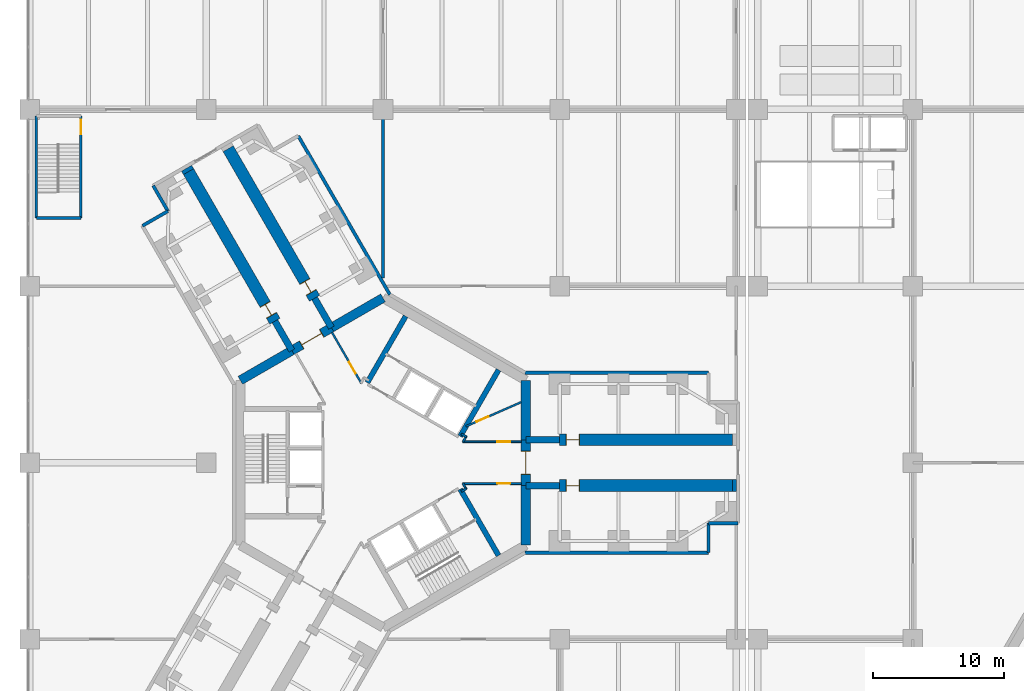
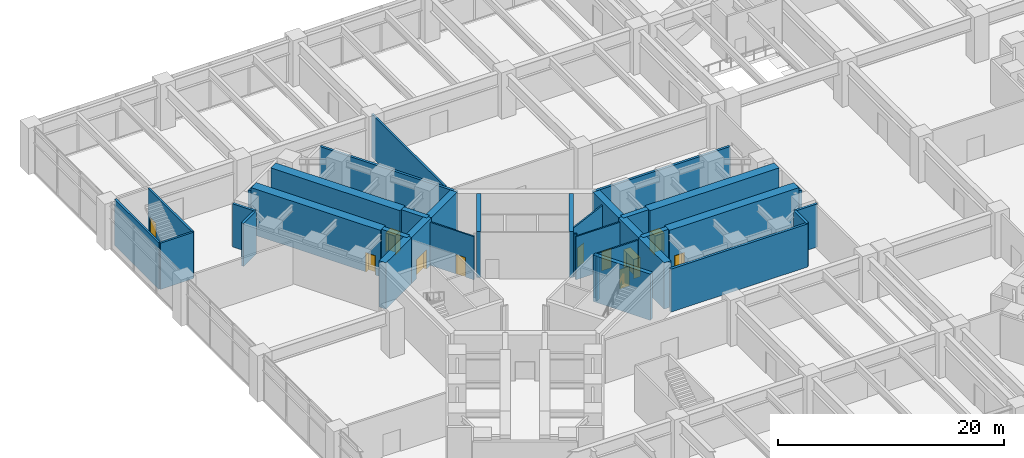
# One storey, part 23 of 32: 38 walls, 11 doors, 11 openings.
"""IFC4 building model written with IfcOpenShell, lengths in metres."""

from ifc_helpers import new_model, si_unit, direction, frame, frame_2d, origin, place, context, subcontext, project, spatial, rectangle, extrude, material, layer, layer_set, type_object, element, fill, save


model = new_model("IFC4")

# Units and contexts
model_context = context("Model", 3, precision=1e-05, world=origin(), true_north=direction((0.0, 1.0)))
body_context = subcontext(model_context, "Body", "Model", "MODEL_VIEW")
ifc_project = project(units=[si_unit("LENGTHUNIT", "METRE"), si_unit("AREAUNIT", "SQUARE_METRE"), si_unit("VOLUMEUNIT", "CUBIC_METRE"), si_unit("PLANEANGLEUNIT", "RADIAN"), si_unit("MASSUNIT", "GRAM", prefix="KILO")], contexts=[model_context])

# Site, building, storey
site_placement = place(None, origin())
site = spatial("IfcSite", under=ifc_project, at=site_placement, CompositionType="ELEMENT")
building_placement = place(site_placement, origin())
building = spatial("IfcBuilding", under=site, at=building_placement, Name="Upepo Twin Towers", CompositionType="ELEMENT")
storey_placement = place(building_placement, frame((0.0, 0.0, 5.5)))
storey = spatial("IfcBuildingStorey", under=building, at=storey_placement, Name="L01", CompositionType="ELEMENT", Elevation=5.5)

# Walls
ifc_material_1 = material(Name="Dense concrete blockwork", Category="masonry")
ifc_layer_1 = layer(ifc_material_1, 0.89990234375)
ifc_layer_set_1 = layer_set([ifc_layer_1], Name="Buttress closer 900, blockwork with fire-stopping to the curtain wall")
wall_type_1 = type_object("IfcWallType", Name="Buttress closer 900, blockwork with fire-stopping to the curtain wall", PredefinedType="PARTITIONING", material=ifc_layer_set_1)
for number, where, z_axis, x_axis, name in (
    (1, (26.699951171875, -1.75, 0.0), (0.0, 0.0, 1.0), (1.0, 0.0, 0.0), "T1 L01 wing A buttress closer R"),
    (2, (-14.865478515625, 22.247802734375, 0.0), (0.0, 0.0, 1.0), (-0.500426713919, 0.865778900179, 0.0), "T1 L01 wing B buttress closer L"),
):
    element("IfcWall", number, at=place(storey_placement, frame(where, z_axis=z_axis, x_axis=x_axis)), inside=storey, type_object=wall_type_1, Name=name, PredefinedType="PARTITIONING", context=body_context, shape_type="SweptSolid", body=[
        extrude(rectangle(XDim=0.300048828125, YDim=0.89990234375, at=frame_2d((0.14990234375, 0.0))), origin(), (0.0, 0.0, 1.0), 4.64990234375),
    ])
ifc_material_2 = material(Name="Concrete C60/75", Category="concrete")
ifc_layer_2 = layer(ifc_material_2, 0.5)
ifc_layer_set_2 = layer_set([ifc_layer_2], Name="Concrete C60/75")
wall_type_2 = type_object("IfcWallType", Name="Buttress wall 500 RC", PredefinedType="SHEAR", material=ifc_layer_set_2)
for number, where, z_axis, x_axis, name in (
    (3, (10.908447265625, 1.75, 0.0), (0.0, 0.0, 1.0), (1.0, 0.0, 0.0), "T1 wing A buttress wall L"),
    (4, (10.908447265625, -1.75, 0.0), (0.0, 0.0, 1.0), (1.0, 0.0, 0.0), "T1 wing A buttress wall R"),
):
    element("IfcWall", number, at=place(storey_placement, frame(where, z_axis=z_axis, x_axis=x_axis)), inside=storey, type_object=wall_type_2, Name=name, PredefinedType="SHEAR", context=body_context, shape_type="SweptSolid", body=[
        extrude(rectangle(XDim=2.591552734375, YDim=0.5, at=frame_2d((1.2958984375, 0.0))), origin(), (0.0, 0.0, 1.0), 5.0),
    ])
for number, where, z_axis, x_axis, name in (
    (5, (-6.9697265625, 8.57177734375, 0.0), (0.0, 0.0, 1.0), (-0.499988811324, 0.866031863473, 0.0), "T1 wing B buttress wall L"),
    (6, (-3.938720703125, 10.32177734375, 0.0), (0.0, 0.0, 1.0), (-0.499918158782, 0.866072649678, 0.0), "T1 wing B buttress wall R"),
):
    element("IfcWall", number, at=place(storey_placement, frame(where, z_axis=z_axis, x_axis=x_axis)), inside=storey, type_object=wall_type_2, Name=name, PredefinedType="SHEAR", context=body_context, shape_type="SweptSolid", body=[
        extrude(rectangle(XDim=2.591796875, YDim=0.5, at=frame_2d((1.2958984375, 0.0))), origin(), (0.0, 0.0, 1.0), 5.0),
    ])

# Wall, opening, door
ifc_material_3 = material(Name="Concrete C60/75", Category="concrete")
ifc_layer_3 = layer(ifc_material_3, 0.89990234375)
ifc_layer_set_3 = layer_set([ifc_layer_3], Name="Concrete C60/75")
wall_type_3 = type_object("IfcWallType", Name="Buttress wall 900 RC", PredefinedType="SHEAR", material=ifc_layer_set_3)
wall_1_placement = place(storey_placement, frame((13.5, 1.75, 0.0), z_axis=(0.0, 0.0, 1.0), x_axis=(1.0, 0.0, 0.0)))
wall_1 = element("IfcWall", 7, at=wall_1_placement, inside=storey, type_object=wall_type_3, Name="T1 wing A buttress wall L part 2", PredefinedType="SHEAR", context=body_context, shape_type="SweptSolid", body=[
    extrude(rectangle(XDim=13.199951171875, YDim=0.89990234375, at=frame_2d((6.60009765625, 0.0))), origin(), (0.0, 0.0, 1.0), 5.0),
])
opening_1_placement = place(wall_1_placement, frame((0.5, 0.0, 0.0)))
opening_1 = element("IfcOpeningElement", 8, at=opening_1_placement, cuts=wall_1, Name="Opening D1", PredefinedType="OPENING", context=body_context, shape_type="SweptSolid", body=[
    extrude(rectangle(XDim=1.0, YDim=2.10009765625, at=frame_2d((0.5, 1.050048828125))), frame((0.0, 0.4599609375, 0.0), z_axis=(0.0, -1.0, 0.0), x_axis=(1.0, 0.0, 0.0)), (0.0, 0.0, 1.0), 0.919921875),
])
ifc_material_4 = material(Name="Timber doorset", Category="wood")
door_type_1 = type_object("IfcDoorType", Name="Room door 1000 FD30", OperationType="SINGLE_SWING_LEFT", PredefinedType="DOOR", material=ifc_material_4)
door_1_placement = place(opening_1_placement, origin())
door_1 = element("IfcDoor", 9, at=door_1_placement, inside=storey, type_object=door_type_1, Name="T1 L01 faculty office door", OperationType="SINGLE_SWING_LEFT", OverallHeight=2.10009765625, OverallWidth=1.0, PredefinedType="DOOR", context=body_context, shape_type="SweptSolid", body=[
    extrude(rectangle(XDim=0.92, YDim=2.06009765625, at=frame_2d((0.5, 1.030029296875))), frame((0.0, 0.02490234375, 0.0), z_axis=(0.0, -1.0, 0.0), x_axis=(1.0, 0.0, 0.0)), (0.0, 0.0, 1.0), 0.050048828125),
    extrude(rectangle(XDim=0.04, YDim=2.10009765625, at=frame_2d((0.02001953125, 1.050048828125))), frame((0.0, 0.44970703125, 0.0), z_axis=(0.0, -1.0, 0.0), x_axis=(1.0, 0.0, 0.0)), (0.0, 0.0, 1.0), 0.8994140625),
    extrude(rectangle(XDim=0.04, YDim=2.10009765625, at=frame_2d((0.97998046875, 1.050048828125))), frame((0.0, 0.44970703125, 0.0), z_axis=(0.0, -1.0, 0.0), x_axis=(1.0, 0.0, 0.0)), (0.0, 0.0, 1.0), 0.8994140625),
    extrude(rectangle(XDim=0.92, YDim=0.04, at=frame_2d((0.5, 2.080078125))), frame((0.0, 0.44970703125, 0.0), z_axis=(0.0, -1.0, 0.0), x_axis=(1.0, 0.0, 0.0)), (0.0, 0.0, 1.0), 0.8994140625),
])
fill(opening_1, door_1)

wall_2_placement = place(storey_placement, frame((13.5, -1.75, 0.0), z_axis=(0.0, 0.0, 1.0), x_axis=(1.0, 0.0, 0.0)))
wall_2 = element("IfcWall", 10, at=wall_2_placement, inside=storey, type_object=wall_type_3, Name="T1 wing A buttress wall R part 2", PredefinedType="SHEAR", context=body_context, shape_type="SweptSolid", body=[
    extrude(rectangle(XDim=13.199951171875, YDim=0.89990234375, at=frame_2d((6.60009765625, 0.0))), origin(), (0.0, 0.0, 1.0), 5.0),
])
opening_2_placement = place(wall_2_placement, frame((0.5, 0.0, 0.0)))
opening_2 = element("IfcOpeningElement", 11, at=opening_2_placement, cuts=wall_2, Name="Opening D1", PredefinedType="OPENING", context=body_context, shape_type="SweptSolid", body=[
    extrude(rectangle(XDim=1.0, YDim=2.10009765625, at=frame_2d((0.5, 1.050048828125))), frame((0.0, 0.4599609375, 0.0), z_axis=(0.0, -1.0, 0.0), x_axis=(1.0, 0.0, 0.0)), (0.0, 0.0, 1.0), 0.919921875),
])
door_2_placement = place(opening_2_placement, origin())
door_2 = element("IfcDoor", 12, at=door_2_placement, inside=storey, type_object=door_type_1, Name="T1 L01 faculty office door", OperationType="SINGLE_SWING_LEFT", OverallHeight=2.10009765625, OverallWidth=1.0, PredefinedType="DOOR", context=body_context, shape_type="SweptSolid", body=[
    extrude(rectangle(XDim=0.92, YDim=2.06009765625, at=frame_2d((0.5, 1.030029296875))), frame((0.0, 0.02490234375, 0.0), z_axis=(0.0, -1.0, 0.0), x_axis=(1.0, 0.0, 0.0)), (0.0, 0.0, 1.0), 0.050048828125),
    extrude(rectangle(XDim=0.04, YDim=2.10009765625, at=frame_2d((0.02001953125, 1.050048828125))), frame((0.0, 0.44970703125, 0.0), z_axis=(0.0, -1.0, 0.0), x_axis=(1.0, 0.0, 0.0)), (0.0, 0.0, 1.0), 0.8994140625),
    extrude(rectangle(XDim=0.04, YDim=2.10009765625, at=frame_2d((0.97998046875, 1.050048828125))), frame((0.0, 0.44970703125, 0.0), z_axis=(0.0, -1.0, 0.0), x_axis=(1.0, 0.0, 0.0)), (0.0, 0.0, 1.0), 0.8994140625),
    extrude(rectangle(XDim=0.92, YDim=0.04, at=frame_2d((0.5, 2.080078125))), frame((0.0, 0.44970703125, 0.0), z_axis=(0.0, -1.0, 0.0), x_axis=(1.0, 0.0, 0.0)), (0.0, 0.0, 1.0), 0.8994140625),
])
fill(opening_2, door_2)

wall_3_placement = place(storey_placement, frame((-8.265625, 10.81640625, 0.0), z_axis=(0.0, 0.0, 1.0), x_axis=(-0.499996231654, 0.866027579429, 0.0)))
wall_3 = element("IfcWall", 13, at=wall_3_placement, inside=storey, type_object=wall_type_3, Name="T1 wing B buttress wall L part 2", PredefinedType="SHEAR", context=body_context, shape_type="SweptSolid", body=[
    extrude(rectangle(XDim=13.19970703125, YDim=0.89990234375, at=frame_2d((6.599853515625, 0.0))), origin(), (0.0, 0.0, 1.0), 5.0),
])
opening_3_placement = place(wall_3_placement, frame((0.5, 0.0, 0.0)))
opening_3 = element("IfcOpeningElement", 14, at=opening_3_placement, cuts=wall_3, Name="Opening D1", PredefinedType="OPENING", context=body_context, shape_type="SweptSolid", body=[
    extrude(rectangle(XDim=1.0, YDim=2.10009765625, at=frame_2d((0.5, 1.050048828125))), frame((0.0, 0.4599609375, 0.0), z_axis=(0.0, -1.0, 0.0), x_axis=(1.0, 0.0, 0.0)), (0.0, 0.0, 1.0), 0.919921875),
])
door_3_placement = place(opening_3_placement, origin())
door_3 = element("IfcDoor", 15, at=door_3_placement, inside=storey, type_object=door_type_1, Name="T1 L01 faculty office door", OperationType="SINGLE_SWING_LEFT", OverallHeight=2.10009765625, OverallWidth=1.0, PredefinedType="DOOR", context=body_context, shape_type="SweptSolid", body=[
    extrude(rectangle(XDim=0.92, YDim=2.06009765625, at=frame_2d((0.5, 1.030029296875))), frame((0.0, 0.02490234375, 0.0), z_axis=(0.0, -1.0, 0.0), x_axis=(1.0, 0.0, 0.0)), (0.0, 0.0, 1.0), 0.050048828125),
    extrude(rectangle(XDim=0.04, YDim=2.10009765625, at=frame_2d((0.02001953125, 1.050048828125))), frame((0.0, 0.44970703125, 0.0), z_axis=(0.0, -1.0, 0.0), x_axis=(1.0, 0.0, 0.0)), (0.0, 0.0, 1.0), 0.8994140625),
    extrude(rectangle(XDim=0.04, YDim=2.10009765625, at=frame_2d((0.97998046875, 1.050048828125))), frame((0.0, 0.44970703125, 0.0), z_axis=(0.0, -1.0, 0.0), x_axis=(1.0, 0.0, 0.0)), (0.0, 0.0, 1.0), 0.8994140625),
    extrude(rectangle(XDim=0.92, YDim=0.04, at=frame_2d((0.5, 2.080078125))), frame((0.0, 0.44970703125, 0.0), z_axis=(0.0, -1.0, 0.0), x_axis=(1.0, 0.0, 0.0)), (0.0, 0.0, 1.0), 0.8994140625),
])
fill(opening_3, door_3)

wall_4_placement = place(storey_placement, frame((-5.234375, 12.56640625, 0.0), z_axis=(0.0, 0.0, 1.0), x_axis=(-0.500010103361, 0.866019570528, 0.0)))
wall_4 = element("IfcWall", 16, at=wall_4_placement, inside=storey, type_object=wall_type_3, Name="T1 wing B buttress wall R part 2", PredefinedType="SHEAR", context=body_context, shape_type="SweptSolid", body=[
    extrude(rectangle(XDim=13.199951171875, YDim=0.89990234375, at=frame_2d((6.60009765625, 0.0))), origin(), (0.0, 0.0, 1.0), 5.0),
])
opening_4_placement = place(wall_4_placement, frame((0.5, 0.0, 0.0)))
opening_4 = element("IfcOpeningElement", 17, at=opening_4_placement, cuts=wall_4, Name="Opening D1", PredefinedType="OPENING", context=body_context, shape_type="SweptSolid", body=[
    extrude(rectangle(XDim=1.0, YDim=2.10009765625, at=frame_2d((0.5, 1.050048828125))), frame((0.0, 0.4599609375, 0.0), z_axis=(0.0, -1.0, 0.0), x_axis=(1.0, 0.0, 0.0)), (0.0, 0.0, 1.0), 0.919921875),
])
door_4_placement = place(opening_4_placement, origin())
door_4 = element("IfcDoor", 18, at=door_4_placement, inside=storey, type_object=door_type_1, Name="T1 L01 faculty office door", OperationType="SINGLE_SWING_LEFT", OverallHeight=2.10009765625, OverallWidth=1.0, PredefinedType="DOOR", context=body_context, shape_type="SweptSolid", body=[
    extrude(rectangle(XDim=0.92, YDim=2.06009765625, at=frame_2d((0.5, 1.030029296875))), frame((0.0, 0.02490234375, 0.0), z_axis=(0.0, -1.0, 0.0), x_axis=(1.0, 0.0, 0.0)), (0.0, 0.0, 1.0), 0.050048828125),
    extrude(rectangle(XDim=0.04, YDim=2.10009765625, at=frame_2d((0.02001953125, 1.050048828125))), frame((0.0, 0.44970703125, 0.0), z_axis=(0.0, -1.0, 0.0), x_axis=(1.0, 0.0, 0.0)), (0.0, 0.0, 1.0), 0.8994140625),
    extrude(rectangle(XDim=0.04, YDim=2.10009765625, at=frame_2d((0.97998046875, 1.050048828125))), frame((0.0, 0.44970703125, 0.0), z_axis=(0.0, -1.0, 0.0), x_axis=(1.0, 0.0, 0.0)), (0.0, 0.0, 1.0), 0.8994140625),
    extrude(rectangle(XDim=0.92, YDim=0.04, at=frame_2d((0.5, 2.080078125))), frame((0.0, 0.44970703125, 0.0), z_axis=(0.0, -1.0, 0.0), x_axis=(1.0, 0.0, 0.0)), (0.0, 0.0, 1.0), 0.8994140625),
])
fill(opening_4, door_4)

# Wall
ifc_material_5 = material(Name="Concrete C60/75", Category="concrete")
ifc_layer_4 = layer(ifc_material_5, 0.699951171875)
ifc_layer_set_4 = layer_set([ifc_layer_4], Name="Concrete C60/75")
wall_type_4 = type_object("IfcWallType", Name="Core wall 700 RC", PredefinedType="SHEAR", material=ifc_layer_set_4)
wall_5_placement = place(storey_placement, frame((10.908447265625, -6.2978515625, 0.0), z_axis=(0.0, 0.0, 1.0), x_axis=(0.0, 1.0, 0.0)))
element("IfcWall", 19, at=wall_5_placement, inside=storey, type_object=wall_type_4, Name="T1 core wall 000 R", PredefinedType="SHEAR", context=body_context, shape_type="SweptSolid", body=[
    extrude(rectangle(XDim=4.5478515625, YDim=0.699951171875, at=frame_2d((2.27392578125, 0.0))), origin(), (0.0, 0.0, 1.0), 5.0),
])

# Wall, opening, door
wall_6_placement = place(storey_placement, frame((10.908447265625, -1.75, 0.0), z_axis=(0.0, 0.0, 1.0), x_axis=(0.0, 1.0, 0.0)))
wall_6 = element("IfcWall", 20, at=wall_6_placement, inside=storey, type_object=wall_type_4, Name="T1 core wall 000", PredefinedType="SHEAR", context=body_context, shape_type="SweptSolid", body=[
    extrude(rectangle(XDim=3.5, YDim=0.699951171875, at=frame_2d((1.75, 0.0))), origin(), (0.0, 0.0, 1.0), 5.0),
])
opening_5_placement = place(wall_6_placement, frame((0.85009765625, 0.0, 0.0)))
opening_5 = element("IfcOpeningElement", 21, at=opening_5_placement, cuts=wall_6, Name="Opening D2", PredefinedType="OPENING", context=body_context, shape_type="SweptSolid", body=[
    extrude(rectangle(XDim=1.800048828125, YDim=2.10009765625, at=frame_2d((0.89990234375, 1.050048828125))), frame((0.0, 0.35986328125, 0.0), z_axis=(0.0, -1.0, 0.0), x_axis=(1.0, 0.0, 0.0)), (0.0, 0.0, 1.0), 0.719970703125),
])
ifc_material_6 = material(Name="Timber doorset", Category="wood")
door_type_2 = type_object("IfcDoorType", Name="Corridor double door 1800 FD60", OperationType="DOUBLE_DOOR_DOUBLE_SWING", PredefinedType="DOOR", material=ifc_material_6)
door_5_placement = place(opening_5_placement, origin())
door_5 = element("IfcDoor", 22, at=door_5_placement, inside=storey, type_object=door_type_2, Name="T1 L01 wing A corridor door", OperationType="DOUBLE_DOOR_DOUBLE_SWING", OverallHeight=2.10009765625, OverallWidth=1.800048828125, PredefinedType="DOOR", context=body_context, shape_type="SweptSolid", body=[
    extrude(rectangle(XDim=1.720048828125, YDim=2.06009765625, at=frame_2d((0.89990234375, 1.030029296875))), frame((0.0, 0.02490234375, 0.0), z_axis=(0.0, -1.0, 0.0), x_axis=(1.0, 0.0, 0.0)), (0.0, 0.0, 1.0), 0.050048828125),
    extrude(rectangle(XDim=0.04, YDim=2.10009765625, at=frame_2d((0.02001953125, 1.050048828125))), frame((0.0, 0.349609375, 0.0), z_axis=(0.0, -1.0, 0.0), x_axis=(1.0, 0.0, 0.0)), (0.0, 0.0, 1.0), 0.699462890625),
    extrude(rectangle(XDim=0.04, YDim=2.10009765625, at=frame_2d((1.780029296875, 1.050048828125))), frame((0.0, 0.349609375, 0.0), z_axis=(0.0, -1.0, 0.0), x_axis=(1.0, 0.0, 0.0)), (0.0, 0.0, 1.0), 0.699462890625),
    extrude(rectangle(XDim=1.720048828125, YDim=0.04, at=frame_2d((0.89990234375, 2.080078125))), frame((0.0, 0.349609375, 0.0), z_axis=(0.0, -1.0, 0.0), x_axis=(1.0, 0.0, 0.0)), (0.0, 0.0, 1.0), 0.699462890625),
])
fill(opening_5, door_5)

# Walls
wall_7_placement = place(storey_placement, frame((10.908447265625, 1.75, 0.0), z_axis=(0.0, 0.0, 1.0), x_axis=(0.0, 1.0, 0.0)))
element("IfcWall", 23, at=wall_7_placement, inside=storey, type_object=wall_type_4, Name="T1 core wall 000 L", PredefinedType="SHEAR", context=body_context, shape_type="SweptSolid", body=[
    extrude(rectangle(XDim=4.5478515625, YDim=0.699951171875, at=frame_2d((2.27392578125, 0.0))), origin(), (0.0, 0.0, 1.0), 5.0),
])
wall_8_placement = place(storey_placement, frame((0.0, 12.595947265625, 0.0), z_axis=(0.0, 0.0, 1.0), x_axis=(-0.866011268655, -0.500024481964, 0.0)))
element("IfcWall", 24, at=wall_8_placement, inside=storey, type_object=wall_type_4, Name="T1 core wall 120 R", PredefinedType="SHEAR", context=body_context, shape_type="SweptSolid", body=[
    extrude(rectangle(XDim=4.548095703125, YDim=0.699951171875, at=frame_2d((2.27392578125, 0.0))), origin(), (0.0, 0.0, 1.0), 5.0),
])

# Wall, opening, door
wall_9_placement = place(storey_placement, frame((-3.938720703125, 10.32177734375, 0.0), z_axis=(0.0, 0.0, 1.0), x_axis=(-0.866019471182, -0.500010275428, 0.0)))
wall_9 = element("IfcWall", 25, at=wall_9_placement, inside=storey, type_object=wall_type_4, Name="T1 core wall 120", PredefinedType="SHEAR", context=body_context, shape_type="SweptSolid", body=[
    extrude(rectangle(XDim=3.5, YDim=0.699951171875, at=frame_2d((1.75, 0.0))), origin(), (0.0, 0.0, 1.0), 5.0),
])
opening_6_placement = place(wall_9_placement, frame((0.85009765625, 0.0, 0.0)))
opening_6 = element("IfcOpeningElement", 26, at=opening_6_placement, cuts=wall_9, Name="Opening D2", PredefinedType="OPENING", context=body_context, shape_type="SweptSolid", body=[
    extrude(rectangle(XDim=1.800048828125, YDim=2.10009765625, at=frame_2d((0.89990234375, 1.050048828125))), frame((0.0, 0.35986328125, 0.0), z_axis=(0.0, -1.0, 0.0), x_axis=(1.0, 0.0, 0.0)), (0.0, 0.0, 1.0), 0.719970703125),
])
door_6_placement = place(opening_6_placement, origin())
door_6 = element("IfcDoor", 27, at=door_6_placement, inside=storey, type_object=door_type_2, Name="T1 L01 wing B corridor door", OperationType="DOUBLE_DOOR_DOUBLE_SWING", OverallHeight=2.10009765625, OverallWidth=1.800048828125, PredefinedType="DOOR", context=body_context, shape_type="SweptSolid", body=[
    extrude(rectangle(XDim=1.720048828125, YDim=2.06009765625, at=frame_2d((0.89990234375, 1.030029296875))), frame((0.0, 0.02490234375, 0.0), z_axis=(0.0, -1.0, 0.0), x_axis=(1.0, 0.0, 0.0)), (0.0, 0.0, 1.0), 0.050048828125),
    extrude(rectangle(XDim=0.04, YDim=2.10009765625, at=frame_2d((0.02001953125, 1.050048828125))), frame((0.0, 0.349609375, 0.0), z_axis=(0.0, -1.0, 0.0), x_axis=(1.0, 0.0, 0.0)), (0.0, 0.0, 1.0), 0.699462890625),
    extrude(rectangle(XDim=0.04, YDim=2.10009765625, at=frame_2d((1.780029296875, 1.050048828125))), frame((0.0, 0.349609375, 0.0), z_axis=(0.0, -1.0, 0.0), x_axis=(1.0, 0.0, 0.0)), (0.0, 0.0, 1.0), 0.699462890625),
    extrude(rectangle(XDim=1.720048828125, YDim=0.04, at=frame_2d((0.89990234375, 2.080078125))), frame((0.0, 0.349609375, 0.0), z_axis=(0.0, -1.0, 0.0), x_axis=(1.0, 0.0, 0.0)), (0.0, 0.0, 1.0), 0.699462890625),
])
fill(opening_6, door_6)

# Walls
wall_10_placement = place(storey_placement, frame((-6.9697265625, 8.57177734375, 0.0), z_axis=(0.0, 0.0, 1.0), x_axis=(-0.866034513004, -0.499984222037, 0.0)))
element("IfcWall", 28, at=wall_10_placement, inside=storey, type_object=wall_type_4, Name="T1 core wall 120 L", PredefinedType="SHEAR", context=body_context, shape_type="SweptSolid", body=[
    extrude(rectangle(XDim=4.548095703125, YDim=0.699951171875, at=frame_2d((2.27392578125, 0.0))), origin(), (0.0, 0.0, 1.0), 5.0),
])
ifc_material_7 = material(Name="Concrete blockwork", Category="masonry")
ifc_layer_5 = layer(ifc_material_7, 0.199951171875)
ifc_layer_set_5 = layer_set([ifc_layer_5], Name="Podium partition 200 blockwork")
wall_type_5 = type_object("IfcWallType", Name="Podium partition 200 blockwork", PredefinedType="PARTITIONING", material=ifc_layer_set_5)
wall_11_placement = place(storey_placement, frame((0.0, 14.10009765625, 0.0), z_axis=(0.0, 0.0, 1.0), x_axis=(0.0, 1.0, 0.0)))
element("IfcWall", 29, at=wall_11_placement, inside=storey, type_object=wall_type_5, Name="L01 podium wall X24", PredefinedType="PARTITIONING", context=body_context, shape_type="SweptSolid", body=[
    extrude(rectangle(XDim=12.89990234375, YDim=0.199951171875, at=frame_2d((6.449951171875, 0.0))), origin(), (0.0, 0.0, 1.0), 4.64990234375),
])
ifc_material_8 = material(Name="Concrete C40/50", Category="concrete")
ifc_layer_6 = layer(ifc_material_8, 0.199951171875)
ifc_layer_set_6 = layer_set([ifc_layer_6], Name="Concrete C40/50")
wall_type_6 = type_object("IfcWallType", Name="Podium stair enclosure 200 RC", PredefinedType="SHEAR", material=ifc_layer_set_6)
wall_12_placement = place(storey_placement, frame((-26.5, 18.699951171875, 0.0), z_axis=(0.0, 0.0, 1.0), x_axis=(1.0, 0.0, 0.0)))
element("IfcWall", 30, at=wall_12_placement, inside=storey, type_object=wall_type_6, Name="PS1 L01 enclosure wall 1", PredefinedType="SHEAR", context=body_context, shape_type="SweptSolid", body=[
    extrude(rectangle(XDim=3.39990234375, YDim=0.199951171875, at=frame_2d((1.699951171875, 0.0))), origin(), (0.0, 0.0, 1.0), 5.0),
])

# Wall, opening, door
wall_13_placement = place(storey_placement, frame((-23.10009765625, 18.699951171875, 0.0), z_axis=(0.0, 0.0, 1.0), x_axis=(0.0, 1.0, 0.0)))
wall_13 = element("IfcWall", 31, at=wall_13_placement, inside=storey, type_object=wall_type_6, Name="PS1 L01 enclosure wall 2", PredefinedType="SHEAR", context=body_context, shape_type="SweptSolid", body=[
    extrude(rectangle(XDim=7.800048828125, YDim=0.199951171875, at=frame_2d((3.89990234375, 0.0))), origin(), (0.0, 0.0, 1.0), 5.0),
])
opening_7_placement = place(wall_13_placement, frame((6.39990234375, 0.0, 0.0)))
opening_7 = element("IfcOpeningElement", 32, at=opening_7_placement, cuts=wall_13, Name="Opening D3", PredefinedType="OPENING", context=body_context, shape_type="SweptSolid", body=[
    extrude(rectangle(XDim=1.10009765625, YDim=2.10009765625, at=frame_2d((0.550048828125, 1.050048828125))), frame((0.0, 0.10986328125, 0.0), z_axis=(0.0, -1.0, 0.0), x_axis=(1.0, 0.0, 0.0)), (0.0, 0.0, 1.0), 0.219970703125),
])
ifc_material_9 = material(Name="Timber doorset", Category="wood")
door_type_3 = type_object("IfcDoorType", Name="Stair door 1100 FD60", OperationType="SINGLE_SWING_LEFT", PredefinedType="DOOR", material=ifc_material_9)
door_7_placement = place(opening_7_placement, origin())
door_7 = element("IfcDoor", 33, at=door_7_placement, inside=storey, type_object=door_type_3, Name="PS1 L01 door", OperationType="SINGLE_SWING_RIGHT", OverallHeight=2.10009765625, OverallWidth=1.10009765625, PredefinedType="DOOR", context=body_context, shape_type="SweptSolid", body=[
    extrude(rectangle(XDim=1.10009765625, YDim=2.10009765625, at=frame_2d((0.550048828125, 1.050048828125))), frame((0.0, 0.02490234375, 0.0), z_axis=(0.0, -1.0, 0.0), x_axis=(1.0, 0.0, 0.0)), (0.0, 0.0, 1.0), 0.050048828125),
])
fill(opening_7, door_7)

# Walls
wall_14_placement = place(storey_placement, frame((-26.5, 26.5, 0.0), z_axis=(0.0, 0.0, 1.0), x_axis=(0.0, -1.0, 0.0)))
element("IfcWall", 34, at=wall_14_placement, inside=storey, type_object=wall_type_6, Name="PS1 L01 enclosure wall 4", PredefinedType="SHEAR", context=body_context, shape_type="SweptSolid", body=[
    extrude(rectangle(XDim=7.800048828125, YDim=0.199951171875, at=frame_2d((3.89990234375, 0.0))), origin(), (0.0, 0.0, 1.0), 5.0),
])
ifc_material_10 = material(Name="Concrete C40/50", Category="concrete")
ifc_layer_7 = layer(ifc_material_10, 0.39990234375)
ifc_layer_set_7 = layer_set([ifc_layer_7], Name="Concrete C40/50")
wall_type_7 = type_object("IfcWallType", Name="Shaft wall 400 RC", PredefinedType="SHEAR", material=ifc_layer_set_7)
for number, where, z_axis, x_axis, name in (
    (35, (-1.20068359375, 6.120361328125, 0.0), (0.0, 0.0, 1.0), (0.500002627198, 0.866023886965, 0.0), "T1 core W60 side wall N"),
    (36, (5.900634765625, 2.020263671875, 0.0), (0.0, 0.0, 1.0), (0.500002627198, 0.866023886965, 0.0), "T1 core W60 side wall S"),
    (37, (5.900634765625, -2.020263671875, 0.0), (0.0, 0.0, 1.0), (0.500002627198, -0.866023886965, 0.0), "T1 core W300 side wall N"),
):
    element("IfcWall", number, at=place(storey_placement, frame(where, z_axis=z_axis, x_axis=x_axis)), inside=storey, type_object=wall_type_7, Name=name, PredefinedType="SHEAR", context=body_context, shape_type="SweptSolid", body=[
        extrude(rectangle(XDim=5.8583984375, YDim=0.39990234375, at=frame_2d((2.92919921875, 0.0))), origin(), (0.0, 0.0, 1.0), 5.0),
    ])
ifc_material_11 = material(Name="Gypsum board on steel studs", Category="steel")
ifc_layer_8 = layer(ifc_material_11, 0.14990234375)
ifc_layer_set_8 = layer_set([ifc_layer_8], Name="Teaching partition 150 acoustic")
wall_type_8 = type_object("IfcWallType", Name="Teaching partition 150 acoustic", PredefinedType="PARTITIONING", material=ifc_layer_set_8)
wall_15_placement = place(storey_placement, frame((6.364501953125, -1.9833984375, 0.0), z_axis=(0.0, 0.0, 1.0), x_axis=(-0.865892400268, -0.500230298122, 0.0)))
element("IfcWall", 38, at=wall_15_placement, inside=storey, type_object=wall_type_8, Name="T1 core room partition 1", PredefinedType="PARTITIONING", context=body_context, shape_type="SweptSolid", body=[
    extrude(rectangle(XDim=0.429931640625, YDim=0.14990234375, at=frame_2d((0.21484375, 0.0))), origin(), (0.0, 0.0, 1.0), 4.64990234375),
])

# Wall, opening, door
wall_16_placement = place(storey_placement, frame((-3.8984375, 9.952392578125, 0.0), z_axis=(0.0, 0.0, 1.0), x_axis=(0.499999927604, -0.866025445582, 0.0)))
wall_16 = element("IfcWall", 39, at=wall_16_placement, inside=storey, type_object=wall_type_8, Name="T1 core room partition 11", PredefinedType="PARTITIONING", context=body_context, shape_type="SweptSolid", body=[
    extrude(rectangle(XDim=4.46826171875, YDim=0.14990234375, at=frame_2d((2.234130859375, 0.0))), origin(), (0.0, 0.0, 1.0), 4.64990234375),
])
opening_8_placement = place(wall_16_placement, frame((2.61376953125, 0.0, 0.0)))
opening_8 = element("IfcOpeningElement", 40, at=opening_8_placement, cuts=wall_16, Name="Opening D1", PredefinedType="OPENING", context=body_context, shape_type="SweptSolid", body=[
    extrude(rectangle(XDim=1.0, YDim=2.10009765625, at=frame_2d((0.5, 1.050048828125))), frame((0.0, 0.0849609375, 0.0), z_axis=(0.0, -1.0, 0.0), x_axis=(1.0, 0.0, 0.0)), (0.0, 0.0, 1.0), 0.169921875),
])
door_8_placement = place(opening_8_placement, origin())
door_8 = element("IfcDoor", 41, at=door_8_placement, inside=storey, type_object=door_type_1, Name="T1 L01 core room door K6", OperationType="SINGLE_SWING_RIGHT", OverallHeight=2.10009765625, OverallWidth=1.0, PredefinedType="DOOR", context=body_context, shape_type="SweptSolid", body=[
    extrude(rectangle(XDim=1.0, YDim=2.10009765625, at=frame_2d((0.5, 1.050048828125))), frame((0.0, 0.02490234375, 0.0), z_axis=(0.0, -1.0, 0.0), x_axis=(1.0, 0.0, 0.0)), (0.0, 0.0, 1.0), 0.050048828125),
])
fill(opening_8, door_8)

# Walls
wall_17_placement = place(storey_placement, frame((5.9921875, 2.198486328125, 0.0), z_axis=(0.0, 0.0, 1.0), x_axis=(0.865892400268, -0.500230298122, 0.0)))
element("IfcWall", 42, at=wall_17_placement, inside=storey, type_object=wall_type_8, Name="T1 core room partition 14", PredefinedType="PARTITIONING", context=body_context, shape_type="SweptSolid", body=[
    extrude(rectangle(XDim=0.429931640625, YDim=0.14990234375, at=frame_2d((0.21484375, 0.0))), origin(), (0.0, 0.0, 1.0), 4.64990234375),
])
wall_18_placement = place(storey_placement, frame((6.357177734375, 2.0107421875, 0.0), z_axis=(0.0, 0.0, 1.0), x_axis=(-0.50033519877, -0.865831790172, 0.0)))
element("IfcWall", 43, at=wall_18_placement, inside=storey, type_object=wall_type_8, Name="T1 core room partition 15", PredefinedType="PARTITIONING", context=body_context, shape_type="SweptSolid", body=[
    extrude(rectangle(XDim=0.494384765625, YDim=0.14990234375, at=frame_2d((0.2470703125, 0.0))), origin(), (0.0, 0.0, 1.0), 4.64990234375),
])

# Wall, opening, door
wall_19_placement = place(storey_placement, frame((6.099853515625, 1.60009765625, 0.0), z_axis=(0.0, 0.0, 1.0), x_axis=(1.0, 0.0, 0.0)))
wall_19 = element("IfcWall", 44, at=wall_19_placement, inside=storey, type_object=wall_type_8, Name="T1 core room partition 16", PredefinedType="PARTITIONING", context=body_context, shape_type="SweptSolid", body=[
    extrude(rectangle(XDim=4.468505859375, YDim=0.14990234375, at=frame_2d((2.234375, 0.0))), origin(), (0.0, 0.0, 1.0), 4.64990234375),
])
opening_9_placement = place(wall_19_placement, frame((2.634033203125, 0.0, 0.0)))
opening_9 = element("IfcOpeningElement", 45, at=opening_9_placement, cuts=wall_19, Name="Opening D1", PredefinedType="OPENING", context=body_context, shape_type="SweptSolid", body=[
    extrude(rectangle(XDim=1.0, YDim=2.10009765625, at=frame_2d((0.5, 1.050048828125))), frame((0.0, 0.0849609375, 0.0), z_axis=(0.0, -1.0, 0.0), x_axis=(1.0, 0.0, 0.0)), (0.0, 0.0, 1.0), 0.169921875),
])
door_9_placement = place(opening_9_placement, origin())
door_9 = element("IfcDoor", 46, at=door_9_placement, inside=storey, type_object=door_type_1, Name="T1 L01 core room door K4", OperationType="SINGLE_SWING_RIGHT", OverallHeight=2.10009765625, OverallWidth=1.0, PredefinedType="DOOR", context=body_context, shape_type="SweptSolid", body=[
    extrude(rectangle(XDim=1.0, YDim=2.10009765625, at=frame_2d((0.5, 1.050048828125))), frame((0.0, 0.02490234375, 0.0), z_axis=(0.0, -1.0, 0.0), x_axis=(1.0, 0.0, 0.0)), (0.0, 0.0, 1.0), 0.050048828125),
])
fill(opening_9, door_9)

wall_20_placement = place(storey_placement, frame((10.568359375, -1.60009765625, 0.0), z_axis=(0.0, 0.0, 1.0), x_axis=(-1.0, 0.0, 0.0)))
wall_20 = element("IfcWall", 47, at=wall_20_placement, inside=storey, type_object=wall_type_8, Name="T1 core room partition 17", PredefinedType="PARTITIONING", context=body_context, shape_type="SweptSolid", body=[
    extrude(rectangle(XDim=4.468505859375, YDim=0.14990234375, at=frame_2d((2.234375, 0.0))), origin(), (0.0, 0.0, 1.0), 4.64990234375),
])
opening_10_placement = place(wall_20_placement, frame((0.83447265625, 0.0, 0.0)))
opening_10 = element("IfcOpeningElement", 48, at=opening_10_placement, cuts=wall_20, Name="Opening D1", PredefinedType="OPENING", context=body_context, shape_type="SweptSolid", body=[
    extrude(rectangle(XDim=1.0, YDim=2.10009765625, at=frame_2d((0.5, 1.050048828125))), frame((0.0, 0.0849609375, 0.0), z_axis=(0.0, -1.0, 0.0), x_axis=(1.0, 0.0, 0.0)), (0.0, 0.0, 1.0), 0.169921875),
])
door_10_placement = place(opening_10_placement, origin())
door_10 = element("IfcDoor", 49, at=door_10_placement, inside=storey, type_object=door_type_1, Name="T1 L01 core room door K3", OperationType="SINGLE_SWING_LEFT", OverallHeight=2.10009765625, OverallWidth=1.0, PredefinedType="DOOR", context=body_context, shape_type="SweptSolid", body=[
    extrude(rectangle(XDim=1.0, YDim=2.10009765625, at=frame_2d((0.5, 1.050048828125))), frame((0.0, 0.02490234375, 0.0), z_axis=(0.0, -1.0, 0.0), x_axis=(1.0, 0.0, 0.0)), (0.0, 0.0, 1.0), 0.050048828125),
])
fill(opening_10, door_10)

# Wall
wall_21_placement = place(storey_placement, frame((6.10986328125, -1.582763671875, 0.0), z_axis=(0.0, 0.0, 1.0), x_axis=(0.50033519877, -0.865831790172, 0.0)))
element("IfcWall", 50, at=wall_21_placement, inside=storey, type_object=wall_type_8, Name="T1 core room partition 18", PredefinedType="PARTITIONING", context=body_context, shape_type="SweptSolid", body=[
    extrude(rectangle(XDim=0.494384765625, YDim=0.14990234375, at=frame_2d((0.2470703125, 0.0))), origin(), (0.0, 0.0, 1.0), 4.64990234375),
])

# Wall, opening, door
wall_22_placement = place(storey_placement, frame((6.337646484375, 2.777099609375, 0.0), z_axis=(0.0, 0.0, 1.0), x_axis=(0.915933456521, 0.40133016735, 0.0)))
wall_22 = element("IfcWall", 51, at=wall_22_placement, inside=storey, type_object=wall_type_8, Name="T1 core room partition 19", PredefinedType="PARTITIONING", context=body_context, shape_type="SweptSolid", body=[
    extrude(rectangle(XDim=4.608154296875, YDim=0.14990234375, at=frame_2d((2.30419921875, 0.0))), origin(), (0.0, 0.0, 1.0), 4.64990234375),
])
opening_11_placement = place(wall_22_placement, frame((0.88232421875, 0.0, 0.0)))
opening_11 = element("IfcOpeningElement", 52, at=opening_11_placement, cuts=wall_22, Name="Opening D1", PredefinedType="OPENING", context=body_context, shape_type="SweptSolid", body=[
    extrude(rectangle(XDim=1.0, YDim=2.10009765625, at=frame_2d((0.5, 1.050048828125))), frame((0.0, 0.0849609375, 0.0), z_axis=(0.0, -1.0, 0.0), x_axis=(1.0, 0.0, 0.0)), (0.0, 0.0, 1.0), 0.169921875),
])
door_11_placement = place(opening_11_placement, origin())
door_11 = element("IfcDoor", 53, at=door_11_placement, inside=storey, type_object=door_type_1, Name="T1 L01 core room door K5", OperationType="SINGLE_SWING_LEFT", OverallHeight=2.10009765625, OverallWidth=1.0, PredefinedType="DOOR", context=body_context, shape_type="SweptSolid", body=[
    extrude(rectangle(XDim=1.0, YDim=2.10009765625, at=frame_2d((0.5, 1.050048828125))), frame((0.0, 0.02490234375, 0.0), z_axis=(0.0, -1.0, 0.0), x_axis=(1.0, 0.0, 0.0)), (0.0, 0.0, 1.0), 0.050048828125),
])
fill(opening_11, door_11)

# Walls
ifc_material_12 = material(Name="Concrete blockwork", Category="masonry")
ifc_layer_9 = layer(ifc_material_12, 0.25)
ifc_layer_set_9 = layer_set([ifc_layer_9], Name="Tower enclosure wall 250 blockwork")
wall_type_9 = type_object("IfcWallType", Name="Tower enclosure wall 250 blockwork", PredefinedType="STANDARD", material=ifc_layer_set_9)
for number, where, z_axis, x_axis, name in (
    (54, (-18.391357421875, 18.10498046875, 0.0), (0.0, 0.0, 1.0), (0.866017533419, 0.500013631625, 0.0), "T1 L01 enclosure wall 8"),
    (55, (-16.44287109375, 19.22998046875, 0.0), (0.0, 0.0, 1.0), (-0.500013631625, 0.866017533419, 0.0), "T1 L01 enclosure wall 9"),
):
    element("IfcWall", number, at=place(storey_placement, frame(where, z_axis=z_axis, x_axis=x_axis)), inside=storey, type_object=wall_type_9, Name=name, PredefinedType="STANDARD", context=body_context, shape_type="SweptSolid", body=[
        extrude(rectangle(XDim=2.25, YDim=0.25, at=frame_2d((1.125, 0.0))), origin(), (0.0, 0.0, 1.0), 4.64990234375),
    ])
for number, where, z_axis, x_axis, name in (
    (56, (-6.483642578125, 24.97998046875, 0.0), (0.0, 0.0, 1.0), (0.499996367808, -0.866027500821, 0.0), "T1 L01 enclosure wall 13"),
    (57, (10.85888671875, 6.875, 0.0), (0.0, 0.0, 1.0), (1.0, 0.0, 0.0), "T1 L01 enclosure wall 15"),
):
    element("IfcWall", number, at=place(storey_placement, frame(where, z_axis=z_axis, x_axis=x_axis)), inside=storey, type_object=wall_type_9, Name=name, PredefinedType="STANDARD", context=body_context, shape_type="SweptSolid", body=[
        extrude(rectangle(XDim=14.01611328125, YDim=0.25, at=frame_2d((7.008056640625, 0.0))), origin(), (0.0, 0.0, 1.0), 4.64990234375),
    ])
for number, where, z_axis, x_axis, name in (
    (58, (27.125, -4.625, 0.0), (0.0, 0.0, 1.0), (-1.0, 0.0, 0.0), "T1 L01 enclosure wall 19"),
    (59, (24.875, -4.625, 0.0), (0.0, 0.0, 1.0), (0.0, -1.0, 0.0), "T1 L01 enclosure wall 20"),
):
    element("IfcWall", number, at=place(storey_placement, frame(where, z_axis=z_axis, x_axis=x_axis)), inside=storey, type_object=wall_type_9, Name=name, PredefinedType="STANDARD", context=body_context, shape_type="SweptSolid", body=[
        extrude(rectangle(XDim=2.25, YDim=0.25, at=frame_2d((1.125, 0.0))), origin(), (0.0, 0.0, 1.0), 4.64990234375),
    ])
wall_23_placement = place(storey_placement, frame((24.875, -6.875, 0.0), z_axis=(0.0, 0.0, 1.0), x_axis=(-1.0, 0.0, 0.0)))
element("IfcWall", 60, at=wall_23_placement, inside=storey, type_object=wall_type_9, Name="T1 L01 enclosure wall 21", PredefinedType="STANDARD", context=body_context, shape_type="SweptSolid", body=[
    extrude(rectangle(XDim=14.01611328125, YDim=0.25, at=frame_2d((7.008056640625, 0.0))), origin(), (0.0, 0.0, 1.0), 4.64990234375),
])

save(model, "model.ifc")
